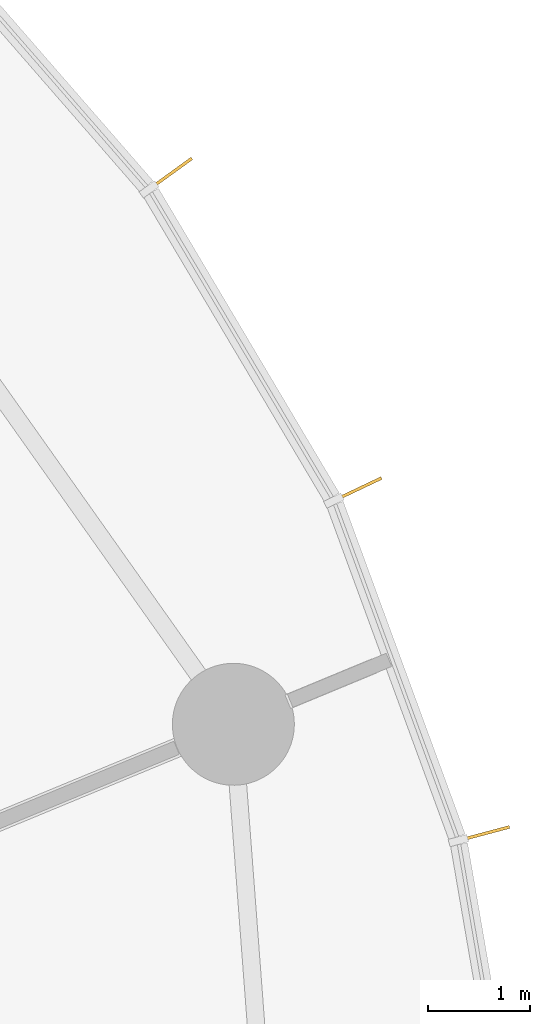
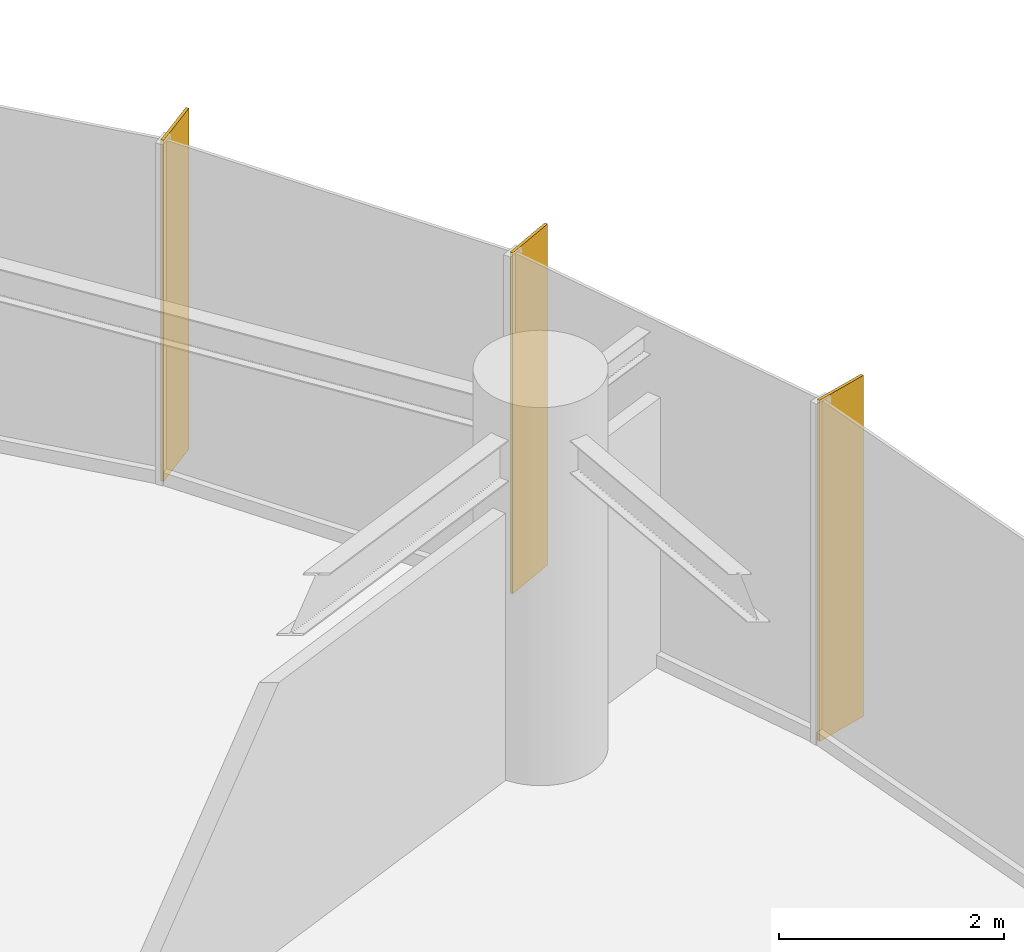
# One storey, part 17 of 17: 3 shading devices.
"""IFC4 building model written with IfcOpenShell, lengths in metres."""

from ifc_helpers import new_model, si_unit, direction, frame, origin, origin_2d, place, context, subcontext, project, spatial, rectangle, extrude, source, transform, mapped, material, material_profile, profile_set, type_object, element, save


model = new_model("IFC4")

# Units and contexts
model_context = context("Model", 3, precision=1e-05, world=origin(), true_north=direction((0.0, 1.0)))
body_context = subcontext(model_context, "Body", "Model", "MODEL_VIEW")
ifc_project = project(units=[si_unit("LENGTHUNIT", "METRE"), si_unit("AREAUNIT", "SQUARE_METRE"), si_unit("VOLUMEUNIT", "CUBIC_METRE"), si_unit("PLANEANGLEUNIT", "RADIAN"), si_unit("MASSUNIT", "GRAM", prefix="KILO")], contexts=[model_context])

# Site, building, storey
site_placement = place(None, origin())
site = spatial("IfcSite", under=ifc_project, at=site_placement, CompositionType="ELEMENT")
building_placement = place(site_placement, origin())
building = spatial("IfcBuilding", under=site, at=building_placement, Name="Spindrift Exchange Tower", CompositionType="ELEMENT")
storey_placement = place(building_placement, frame((0.0, 0.0, 96.199951171875)))
storey = spatial("IfcBuildingStorey", under=building, at=storey_placement, Name="L22", CompositionType="ELEMENT", Elevation=96.199951171875)

# Shading devices
ifc_material = material(Name="Bronze anodised aluminium", Category="aluminium")
ifc_material_profile = material_profile(ifc_material, rectangle(XDim=0.030029296875, YDim=0.550048828125, at=origin_2d()), Name="WIND FIN 30X550")
ifc_profile_set = profile_set([ifc_material_profile], Name="Bronze anodised aluminium")
shading_device_type = type_object("IfcShadingDeviceType", Name="WIND FIN 30X550", PredefinedType="USERDEFINED", material=ifc_profile_set)
shared_shape = source(origin(), body_context, "Body", "SweptSolid", [
    extrude(rectangle(XDim=0.030029296875, YDim=0.550048828125, at=origin_2d()), origin(), (0.0, 0.0, 1.0), 3.699951171875),
])
for number, where, z_axis, x_axis, name in (
    (1, (81.665283203125, 62.09228515625, 0.0), (0.0, 0.0, 1.0), (-0.429075447186, 0.903268653625, 0.0), "L22 wind fin 2"),
    (2, (79.82421875, 65.194580078125, 0.0), (0.0, 0.0, 1.0), (-0.585890150739, 0.810390480736, 0.0), "L22 wind fin 3"),
    (3, (82.90673828125, 58.705322265625, 0.0), (0.0, 0.0, 1.0), (-0.258038408151, 0.96613465931, 0.0), "L22 wind fin 4"),
):
    element("IfcShadingDevice", number, at=place(storey_placement, frame(where, z_axis=z_axis, x_axis=x_axis)), inside=storey, type_object=shading_device_type, Name=name, ObjectType="FIN", PredefinedType="USERDEFINED", context=body_context, shape_type="MappedRepresentation", body=[
        mapped(shared_shape, transform((0.0, 0.0, 0.0), scale=1.0)),
    ])

save(model, "model.ifc")
